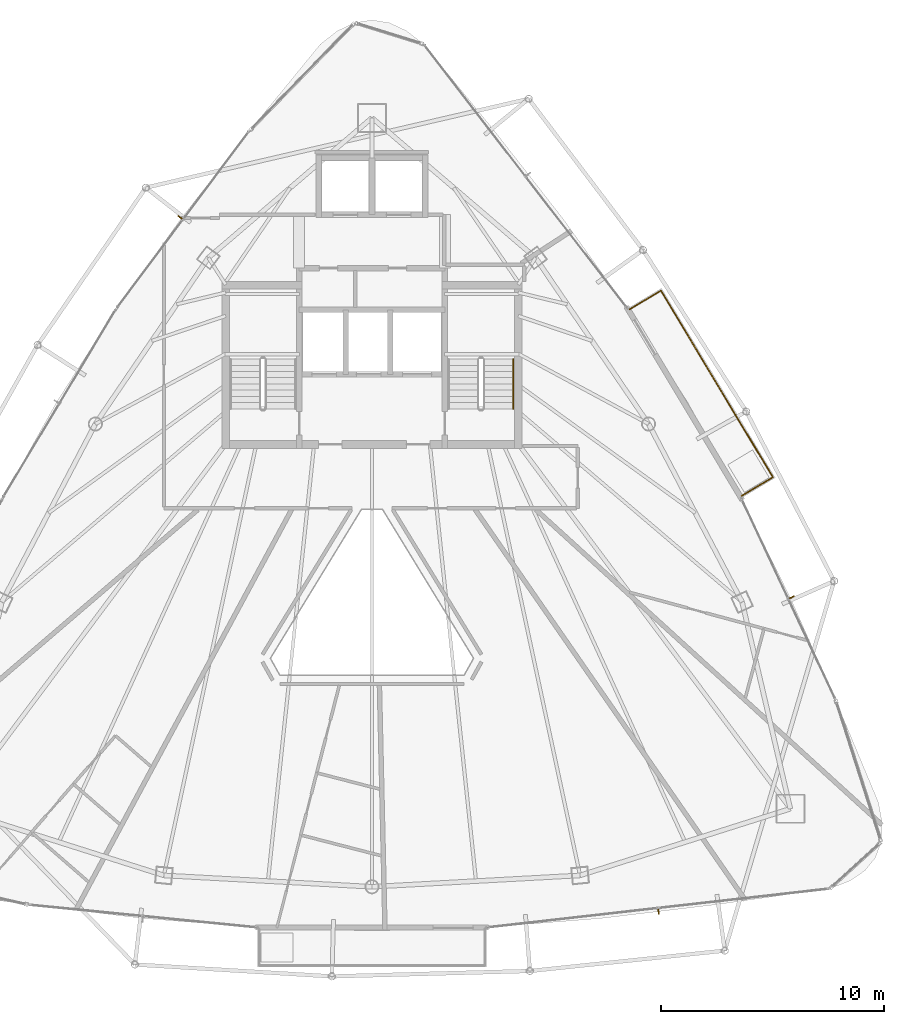
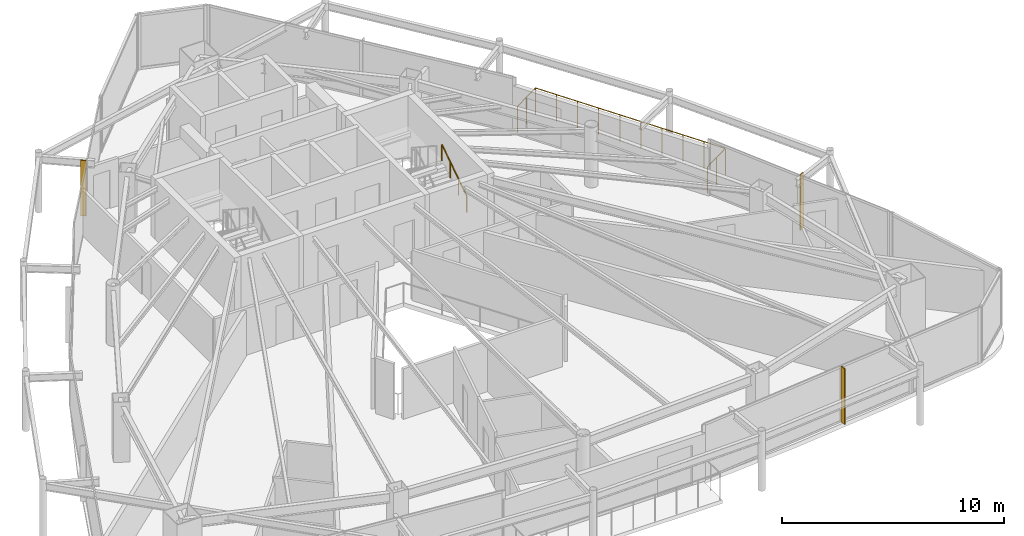
# One storey, part 29 of 30: 3 shading devices, 2 railings.
"""IFC4 building model written with IfcOpenShell, lengths in metres."""

import ifcopenshell
import ifcopenshell.guid

model = None  # the IFC model being written
_history = None  # IfcOwnerHistory: only IFC2X3 demands one
_inside = {}  # id of a spatial element -> (the spatial element, [elements in it])
_under = {}  # id of a project, library or spatial element -> (it, [spatial elements below it])
_declared = {}  # id of a project -> (the project, [libraries it declares])
_typed = {}  # id of a type object -> (the type object, [elements of that type])
_made_of = {}  # id of a material, layer set ... -> (it, [elements and type objects made of it])


def new_model(schema):
    """Start an empty IFC model of exactly this schema.

    Asked for "IFC4X3", IfcOpenShell would pick the latest addendum, in which some entities
    have other attributes; the version numbers below select the first issue.
    IFC2X3 requires an IfcOwnerHistory on every rooted entity: one is made here for all.
    """
    global model, _history
    if schema == "IFC4X3":
        model = ifcopenshell.file(schema_version=(4, 3, 0, 0))
    else:
        model = ifcopenshell.file(schema=schema)
    _inside.clear()
    _under.clear()
    _declared.clear()
    _typed.clear()
    _made_of.clear()
    _history = None
    if model.schema == "IFC2X3":
        org = make("IfcOrganization", Name="unknown")
        user = make(
            "IfcPersonAndOrganization",
            ThePerson=make("IfcPerson", FamilyName="unknown"),
            TheOrganization=org,
        )
        app = make(
            "IfcApplication",
            ApplicationDeveloper=org,
            Version="unknown",
            ApplicationFullName="unknown",
            ApplicationIdentifier="unknown",
        )
        _history = make(
            "IfcOwnerHistory",
            OwningUser=user,
            OwningApplication=app,
            ChangeAction="ADDED",
            CreationDate=0,
        )
    return model


def make(cls, **values):
    """One entity of the class cls with the attributes given. An attribute that is None is left unset."""
    return model.create_entity(
        cls, **{name: value for name, value in values.items() if value is not None}
    )


def rooted(cls, **values):
    """An entity with a GlobalId (a new one), such as an element, a storey or a relation."""
    return make(cls, GlobalId=ifcopenshell.guid.new(), OwnerHistory=_history, **values)


def si_unit(unit_type, name, prefix=None):
    """IfcSIUnit, for example si_unit("LENGTHUNIT", "METRE", prefix="MILLI")."""
    return make("IfcSIUnit", UnitType=unit_type, Prefix=prefix, Name=name)


def assignment(units):
    """IfcUnitAssignment: the units of a project."""
    return None if units is None else make("IfcUnitAssignment", Units=units)


def point(xyz):
    """IfcCartesianPoint."""
    return None if xyz is None else make("IfcCartesianPoint", Coordinates=xyz)


def direction(xyz):
    """IfcDirection."""
    return None if xyz is None else make("IfcDirection", DirectionRatios=xyz)


def frame(location, z_axis=None, x_axis=None):
    """IfcAxis2Placement3D, a coordinate frame: its origin and axes. An axis left out is left unset."""
    return make(
        "IfcAxis2Placement3D",
        Location=point(location),
        Axis=direction(z_axis),
        RefDirection=direction(x_axis),
    )


def frame_2d(location, x_axis=None):
    """IfcAxis2Placement2D, a coordinate frame in the plane: its origin and x axis."""
    return make(
        "IfcAxis2Placement2D", Location=point(location), RefDirection=direction(x_axis)
    )


def origin():
    """The frame at (0, 0, 0) with its axes left unset."""
    return frame((0.0, 0.0, 0.0))


def origin_2d():
    """The frame at (0, 0) in the plane with its x axis left unset."""
    return frame_2d((0.0, 0.0))


def place(relative_to, where):
    """IfcLocalPlacement: puts the frame where relative to a parent placement (None: the world)."""
    return make(
        "IfcLocalPlacement", PlacementRelTo=relative_to, RelativePlacement=where
    )


def context(
    kind, dimensions, precision=None, world=None, true_north=None, identifier=None
):
    """IfcGeometricRepresentationContext, for example the 3D "Model" context."""
    return make(
        "IfcGeometricRepresentationContext",
        ContextIdentifier=identifier,
        ContextType=kind,
        CoordinateSpaceDimension=dimensions,
        Precision=precision,
        WorldCoordinateSystem=world,
        TrueNorth=true_north,
    )


def subcontext(parent, identifier, kind, view, scale=None):
    """IfcGeometricRepresentationSubContext, for example "Body" below "Model"."""
    return make(
        "IfcGeometricRepresentationSubContext",
        ContextIdentifier=identifier,
        ContextType=kind,
        ParentContext=parent,
        TargetScale=scale,
        TargetView=view,
    )


def project(units=None, contexts=None):
    """IfcProject with its units and contexts."""
    return rooted(
        "IfcProject",
        Name="project",
        RepresentationContexts=contexts,
        UnitsInContext=assignment(units),
    )


def spatial(cls, under=None, at=None, **own):
    """A site, building, storey or space (cls), placed at a placement, below another one or the project."""
    s = rooted(cls, ObjectPlacement=at, **own)
    if under is not None:
        _under.setdefault(under.id(), (under, []))[1].append(s)
    return s


def profile(cls, at=None, kind="AREA", **sizes):
    """A parametric profile (cls). Its sizes go by their IFC names, for example OverallWidth=200.0."""
    return make(cls, ProfileType=kind, Position=at, **sizes)


def rectangle(**sizes):
    """IfcRectangleProfileDef."""
    return profile("IfcRectangleProfileDef", **sizes)


def circle(**sizes):
    """IfcCircleProfileDef."""
    return profile("IfcCircleProfileDef", **sizes)


def extrude(swept, where, along, depth):
    """IfcExtrudedAreaSolid: the profile swept, set in the frame where, extruded along a direction by depth."""
    return make(
        "IfcExtrudedAreaSolid",
        SweptArea=swept,
        Position=where,
        ExtrudedDirection=direction(along),
        Depth=depth,
    )


def shape(context_of_items, identifier, shape_type, items):
    """IfcShapeRepresentation: the items that make up one representation, for example the "Body"."""
    return make(
        "IfcShapeRepresentation",
        ContextOfItems=context_of_items,
        RepresentationIdentifier=identifier,
        RepresentationType=shape_type,
        Items=items,
    )


def material(Name=None, Category=None):
    """IfcMaterial."""
    return make("IfcMaterial", Name=Name, Category=Category)


def layer(
    of_material, thickness, ventilated=None, Name=None, Category=None, Priority=None
):
    """IfcMaterialLayer: one layer of a wall or slab, of a material (None: an air gap)."""
    return make(
        "IfcMaterialLayer",
        Material=of_material,
        LayerThickness=thickness,
        IsVentilated=ventilated,
        Name=Name,
        Category=Category,
        Priority=Priority,
    )


def layer_set(layers, Name=None):
    """IfcMaterialLayerSet."""
    return make("IfcMaterialLayerSet", MaterialLayers=layers, LayerSetName=Name)


def made_of(thing, what):
    """Note that an element or type object is made of a material, layer set ...; save() writes the relation."""
    if what is not None:
        _made_of.setdefault(what.id(), (what, []))[1].append(thing)
    return thing


def type_object(cls, material=None, **own):
    """A type object (cls), such as IfcWallType, which elements share."""
    return made_of(rooted(cls, **own), material)


def element(
    cls,
    number,
    at=None,
    inside=None,
    cuts=None,
    type_object=None,
    material=None,
    context=None,
    identifier="Body",
    shape_type=None,
    held_by="IfcProductDefinitionShape",
    body=None,
    shapes=None,
    **own,
):
    """One element of the class cls, such as IfcWall. Its Tag is "e" and its number.

    at: its placement. inside: the storey or other place that contains it. cuts: it is an
    opening in that element (IfcRelVoidsElement). A single representation is given by context,
    identifier, shape_type and body (its items); several are given by shapes. held_by: the class
    of the entity that holds the representations. save() writes the other relations.
    """
    e = rooted(cls, Tag="e%d" % number, ObjectPlacement=at, **own)
    if body is not None:
        shapes = [shape(context, identifier, shape_type, body)]
    if shapes is not None:
        e.Representation = make(held_by, Representations=shapes)
    if inside is not None:
        _inside.setdefault(inside.id(), (inside, []))[1].append(e)
    if cuts is not None:
        rooted(
            "IfcRelVoidsElement", RelatingBuildingElement=cuts, RelatedOpeningElement=e
        )
    if type_object is not None:
        _typed.setdefault(type_object.id(), (type_object, []))[1].append(e)
    return made_of(e, material)


def aggregate(whole, parts):
    """IfcRelAggregates: a whole, such as a stair, and the parts it consists of."""
    return rooted("IfcRelAggregates", RelatingObject=whole, RelatedObjects=parts)


def save(model, path):
    """Write the relations noted so far, then the file.

    IfcRelAggregates (storeys below a building ...), IfcRelContainedInSpatialStructure (elements
    in a storey), IfcRelDefinesByType, IfcRelAssociatesMaterial and IfcRelDeclares: one each for
    every whole, place, type object, material and project.
    """
    for whole, parts in _under.values():
        aggregate(whole, parts)
    for where, things in _inside.values():
        rooted(
            "IfcRelContainedInSpatialStructure",
            RelatedElements=things,
            RelatingStructure=where,
        )
    for kind, things in _typed.values():
        rooted("IfcRelDefinesByType", RelatedObjects=things, RelatingType=kind)
    for what, things in _made_of.values():
        rooted("IfcRelAssociatesMaterial", RelatedObjects=things, RelatingMaterial=what)
    for by, libraries in _declared.values():
        rooted("IfcRelDeclares", RelatingContext=by, RelatedDefinitions=libraries)
    model.write(path)


model = new_model("IFC4")

# Units and contexts
model_context = context("Model", 3, precision=1e-05, world=origin(), true_north=direction((0.0, 1.0)))
body_context = subcontext(model_context, "Body", "Model", "MODEL_VIEW")
ifc_project = project(units=[si_unit("LENGTHUNIT", "METRE"), si_unit("AREAUNIT", "SQUARE_METRE"), si_unit("VOLUMEUNIT", "CUBIC_METRE"), si_unit("PLANEANGLEUNIT", "RADIAN"), si_unit("MASSUNIT", "GRAM", prefix="KILO")], contexts=[model_context])

# Site, building, storey
site_placement = place(None, origin())
site = spatial("IfcSite", under=ifc_project, at=site_placement, CompositionType="ELEMENT")
building_placement = place(site_placement, origin())
building = spatial("IfcBuilding", under=site, at=building_placement, Name="Orvanel Arch Residences", CompositionType="ELEMENT")
storey_placement = place(building_placement, frame((0.0, 0.0, 229.39990234375)))
storey = spatial("IfcBuildingStorey", under=building, at=storey_placement, Name="L65", CompositionType="ELEMENT", Elevation=229.39990234375)

# Shading devices
ifc_material_1 = material(Name="Bronze-anodised aluminium AA6063-T6", Category="aluminium")
ifc_layer = layer(ifc_material_1, 0.050048828125)
ifc_layer_set = layer_set([ifc_layer], Name="Bronze-anodised aluminium AA6063-T6")
shading_device_type = type_object("IfcShadingDeviceType", Name="FIN-BRZ-260", PredefinedType="USERDEFINED", material=ifc_layer_set)
for number, where, z_axis, x_axis, name in (
    (1, (24.385009765625, 36.9208984375, 0.0), (0.0, 0.0, 1.0), (-0.800731370949, 0.599023598516, 0.0), "L65 Anodised Bronze Mullion FIN 01"),
    (2, (45.8779296875, 5.73095703125, 0.0), (0.0, 0.0, 1.0), (0.113203213768, -0.993571855677, 0.0), "L65 Anodised Bronze Mullion FIN 01"),
    (3, (51.85498046875, 19.84912109375, 0.0), (0.0, 0.0, 1.0), (0.905568799011, 0.424199422745, 0.0), "L65 Anodised Bronze Mullion FIN 01"),
):
    element("IfcShadingDevice", number, at=place(storey_placement, frame(where, z_axis=z_axis, x_axis=x_axis)), inside=storey, type_object=shading_device_type, Name=name, ObjectType="FIN", PredefinedType="USERDEFINED", context=body_context, shape_type="SweptSolid", body=[
        extrude(rectangle(XDim=0.260009765625, YDim=0.050048828125, at=origin_2d()), origin(), (0.0, 0.0, 1.0), 3.06005859375),
    ])

# Railings
railing_type_1 = type_object("IfcRailingType", Name="RL-BAL-1480", PredefinedType="BALUSTRADE", material=ifc_material_1)
railing_1_placement = place(storey_placement, frame((49.60791015625, 24.406982421875, 0.0)))
element("IfcRailing", 4, at=railing_1_placement, inside=storey, type_object=railing_type_1, Name="L65 Balcony Perimeter Guardrail Face 3", PredefinedType="BALUSTRADE", context=body_context, shape_type="SweptSolid", body=[
    extrude(circle(Radius=0.02392578125, at=origin_2d()), frame((0.001220703125, 0.000732421875, 1.4560546875), z_axis=(0.857545439568, 0.514408222208, 0.0), x_axis=(-0.514408222208, 0.857545439568, 0.0)), (0.0, 0.0, 1.0), 1.6376953125),
    extrude(circle(Radius=0.02392578125, at=origin_2d()), frame((1.40625, 0.84521484375, 1.4560546875), z_axis=(-0.514403956003, 0.857547998685, 0.0), x_axis=(-0.857547998685, -0.514403956003, 0.0)), (0.0, 0.0, 1.0), 9.77490234375),
    extrude(circle(Radius=0.02392578125, at=origin_2d()), frame((-3.6240234375, 9.228271484375, 1.4560546875), z_axis=(-0.857387817543, -0.514670895164, 0.0), x_axis=(0.514670895164, -0.857387817543, 0.0)), (0.0, 0.0, 1.0), 1.636962890625),
    extrude(circle(Radius=0.02099609375, at=origin_2d()), origin(), (0.0, 0.0, 1.0), 1.429931640625),
    extrude(circle(Radius=0.02099609375, at=origin_2d()), frame((0.70361328125, 0.421875, 0.0)), (0.0, 0.0, 1.0), 1.429931640625),
    extrude(circle(Radius=0.02099609375, at=origin_2d()), frame((1.406982421875, 0.843994140625, 0.0)), (0.0, 0.0, 1.0), 1.429931640625),
    extrude(circle(Radius=0.02099609375, at=origin_2d()), frame((0.84814453125, 1.775634765625, 0.0)), (0.0, 0.0, 1.0), 1.429931640625),
    extrude(circle(Radius=0.02099609375, at=origin_2d()), frame((0.289306640625, 2.707275390625, 0.0)), (0.0, 0.0, 1.0), 1.429931640625),
    extrude(circle(Radius=0.02099609375, at=origin_2d()), frame((-0.26953125, 3.638916015625, 0.0)), (0.0, 0.0, 1.0), 1.429931640625),
    extrude(circle(Radius=0.02099609375, at=origin_2d()), frame((-0.828369140625, 4.570556640625, 0.0)), (0.0, 0.0, 1.0), 1.429931640625),
    extrude(circle(Radius=0.02099609375, at=origin_2d()), frame((-1.387451171875, 5.50244140625, 0.0)), (0.0, 0.0, 1.0), 1.429931640625),
    extrude(circle(Radius=0.02099609375, at=origin_2d()), frame((-1.9462890625, 6.43408203125, 0.0)), (0.0, 0.0, 1.0), 1.429931640625),
    extrude(circle(Radius=0.02099609375, at=origin_2d()), frame((-2.505126953125, 7.36572265625, 0.0)), (0.0, 0.0, 1.0), 1.429931640625),
    extrude(circle(Radius=0.02099609375, at=origin_2d()), frame((-3.06396484375, 8.29736328125, 0.0)), (0.0, 0.0, 1.0), 1.429931640625),
    extrude(circle(Radius=0.02099609375, at=origin_2d()), frame((-3.622802734375, 9.22900390625, 0.0)), (0.0, 0.0, 1.0), 1.429931640625),
    extrude(circle(Radius=0.02099609375, at=origin_2d()), frame((-4.32568359375, 8.80712890625, 0.0)), (0.0, 0.0, 1.0), 1.429931640625),
    extrude(circle(Radius=0.02099609375, at=origin_2d()), frame((-5.02880859375, 8.385009765625, 0.0)), (0.0, 0.0, 1.0), 1.429931640625),
])
ifc_material_2 = material(Name="Structural steel AS/NZS 1163 C350L0 (Grade 350)", Category="steel")
railing_type_2 = type_object("IfcRailingType", Name="RL-STAIR-HAND", PredefinedType="HANDRAIL", material=ifc_material_2)
railing_2_placement = place(storey_placement, frame((39.35009765625, 28.320068359375, 0.183349609375)))
element("IfcRailing", 5, at=railing_2_placement, inside=storey, type_object=railing_type_2, Name="L65 ST-2 stair handrail 1", PredefinedType="HANDRAIL", context=body_context, shape_type="SweptSolid", body=[
    extrude(circle(Radius=0.02392578125, at=origin_2d()), frame((0.0, 0.001220703125, 0.876708984375), z_axis=(0.0, 0.836595146698, 0.547821650285), x_axis=(-1.0, 0.0, 0.0)), (0.0, 0.0, 1.0), 2.674560546875),
    extrude(circle(Radius=0.02099609375, at=origin_2d()), origin(), (0.0, 0.0, 1.0), 0.849853515625),
    extrude(circle(Radius=0.02099609375, at=origin_2d()), frame((0.0, 0.74658203125, 0.489013671875)), (0.0, 0.0, 1.0), 0.849853515625),
    extrude(circle(Radius=0.02099609375, at=origin_2d()), frame((0.0, 1.493408203125, 0.977783203125)), (0.0, 0.0, 1.0), 0.849853515625),
    extrude(circle(Radius=0.02099609375, at=origin_2d()), frame((0.0, 2.239990234375, 1.466796875)), (0.0, 0.0, 1.0), 0.849853515625),
])

save(model, "model.ifc")
